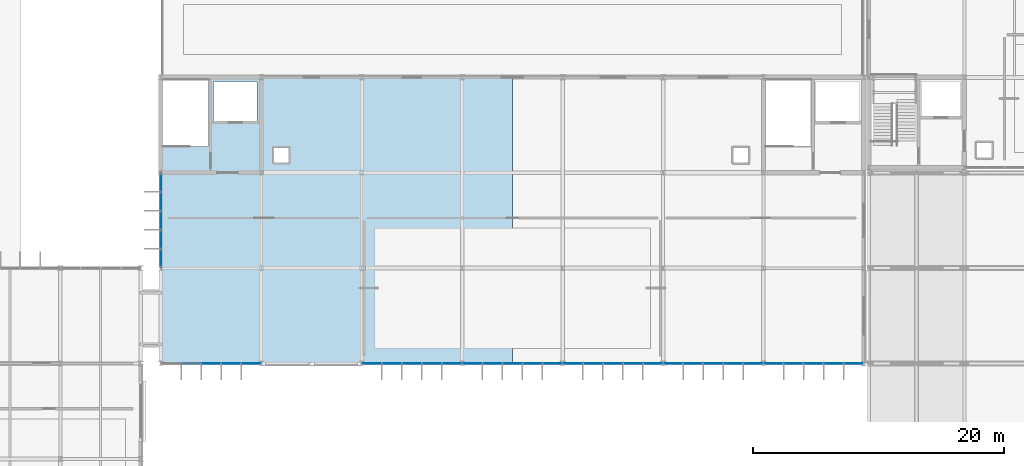
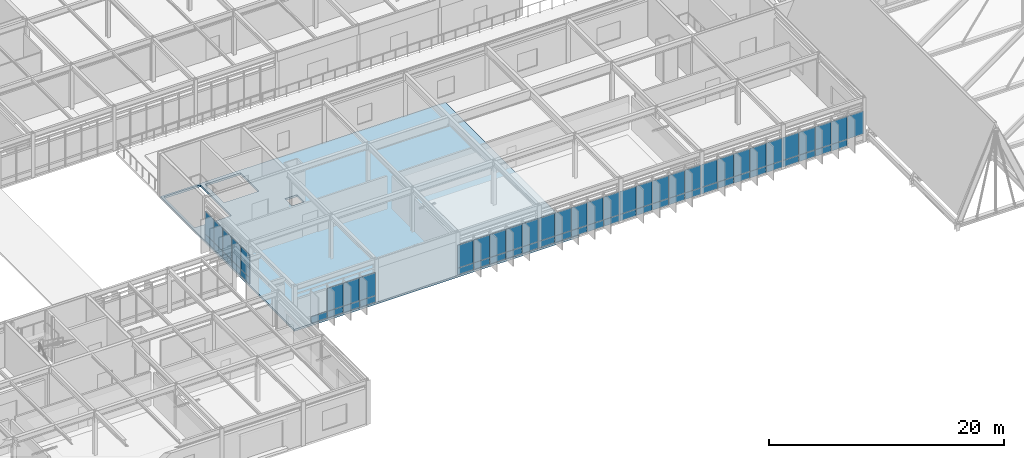
# One storey, part 73 of 100: 66 plates, 1 slab, 7 elements without a shape of their own.
"""IFC4 building model written with IfcOpenShell, lengths in metres."""

from ifc_helpers import new_model, si_unit, direction, frame, origin, origin_2d, place, context, subcontext, project, spatial, polyline, rectangle, outline, extrude, material, layer, layer_set, type_object, element, aggregate, save


model = new_model("IFC4")

# Units and contexts
model_context = context("Model", 3, precision=1e-05, world=origin(), true_north=direction((0.0, 1.0)))
body_context = subcontext(model_context, "Body", "Model", "MODEL_VIEW")
ifc_project = project(units=[si_unit("LENGTHUNIT", "METRE"), si_unit("AREAUNIT", "SQUARE_METRE"), si_unit("VOLUMEUNIT", "CUBIC_METRE"), si_unit("PLANEANGLEUNIT", "RADIAN"), si_unit("MASSUNIT", "GRAM", prefix="KILO")], contexts=[model_context])

# Site, building, storey
site_placement = place(None, origin())
site = spatial("IfcSite", under=ifc_project, at=site_placement, CompositionType="ELEMENT")
building_placement = place(site_placement, origin())
building = spatial("IfcBuilding", under=site, at=building_placement, Name="Zulena Civic Courthouse", CompositionType="ELEMENT")
storey_placement = place(building_placement, frame((0.0, 0.0, 20.39990234375)))
storey = spatial("IfcBuildingStorey", under=building, at=storey_placement, Name="L04", CompositionType="ELEMENT", Elevation=20.39990234375)

# Curtain wall, plates
ifc_material_1 = material(Name="Double-silver low-E laminated solar-control glass", Category="glass")
curtain_wall_type_1 = type_object("IfcCurtainWallType", Name="CW_7576x3690", PredefinedType="USERDEFINED", material=ifc_material_1)
curtain_wall_1_placement = place(storey_placement, origin())
curtain_wall_1 = element("IfcCurtainWall", 1, at=curtain_wall_1_placement, inside=storey, type_object=curtain_wall_type_1, Name="cw:V4:L04:0:1", ObjectType="UNITISED CURTAIN WALL", PredefinedType="USERDEFINED")
ifc_material_2 = material(Name="Ceramic-fritted insulated spandrel glass", Category="glass")
ifc_layer_1 = layer(ifc_material_2, 0.0458984375)
ifc_layer_set_1 = layer_set([ifc_layer_1], Name="Ceramic-fritted insulated spandrel glass")
plate_type_1 = type_object("IfcPlateType", Name="CWPanel_Spandrel_46", PredefinedType="CURTAIN_PANEL", material=ifc_layer_set_1)
plate_1_placement = place(storey_placement, frame((68.0, 23.569580078125, 0.070068359375), z_axis=(0.0, 0.0, 1.0), x_axis=(0.0, 1.0, 0.0)))
plate_1 = element("IfcPlate", 2, at=plate_1_placement, type_object=plate_type_1, Name="cw:V4:L04:0:1:panS:0", PredefinedType="CURTAIN_PANEL", context=body_context, shape_type="SweptSolid", body=[
    extrude(rectangle(XDim=1.465087890625, YDim=0.0458984375, at=origin_2d()), origin(), (0.0, 0.0, 1.0), 0.669921875),
])
plate_2_placement = place(storey_placement, frame((68.0, 25.084716796875, 0.070068359375), z_axis=(0.0, 0.0, 1.0), x_axis=(0.0, 1.0, 0.0)))
plate_2 = element("IfcPlate", 3, at=plate_2_placement, type_object=plate_type_1, Name="cw:V4:L04:0:1:panS:1", PredefinedType="CURTAIN_PANEL", context=body_context, shape_type="SweptSolid", body=[
    extrude(rectangle(XDim=1.465087890625, YDim=0.0458984375, at=origin_2d()), origin(), (0.0, 0.0, 1.0), 0.669921875),
])
plate_3_placement = place(storey_placement, frame((68.0, 26.60009765625, 0.070068359375), z_axis=(0.0, 0.0, 1.0), x_axis=(0.0, 1.0, 0.0)))
plate_3 = element("IfcPlate", 4, at=plate_3_placement, type_object=plate_type_1, Name="cw:V4:L04:0:1:panS:2", PredefinedType="CURTAIN_PANEL", context=body_context, shape_type="SweptSolid", body=[
    extrude(rectangle(XDim=1.465087890625, YDim=0.0458984375, at=origin_2d()), origin(), (0.0, 0.0, 1.0), 0.669921875),
])
plate_4_placement = place(storey_placement, frame((68.0, 28.115234375, 0.070068359375), z_axis=(0.0, 0.0, 1.0), x_axis=(0.0, 1.0, 0.0)))
plate_4 = element("IfcPlate", 5, at=plate_4_placement, type_object=plate_type_1, Name="cw:V4:L04:0:1:panS:3", PredefinedType="CURTAIN_PANEL", context=body_context, shape_type="SweptSolid", body=[
    extrude(rectangle(XDim=1.465087890625, YDim=0.0458984375, at=origin_2d()), origin(), (0.0, 0.0, 1.0), 0.669921875),
])
plate_5_placement = place(storey_placement, frame((68.0, 29.63037109375, 0.070068359375), z_axis=(0.0, 0.0, 1.0), x_axis=(0.0, 1.0, 0.0)))
plate_5 = element("IfcPlate", 6, at=plate_5_placement, type_object=plate_type_1, Name="cw:V4:L04:0:1:panS:4", PredefinedType="CURTAIN_PANEL", context=body_context, shape_type="SweptSolid", body=[
    extrude(rectangle(XDim=1.465087890625, YDim=0.0458984375, at=origin_2d()), origin(), (0.0, 0.0, 1.0), 0.669921875),
])

curtain_wall_type_2 = type_object("IfcCurtainWallType", Name="CW_7976x3690", PredefinedType="USERDEFINED", material=ifc_material_1)
curtain_wall_2_placement = place(storey_placement, origin())
curtain_wall_2 = element("IfcCurtainWall", 7, at=curtain_wall_2_placement, inside=storey, type_object=curtain_wall_type_2, Name="cw:V4:L04:3:0", ObjectType="UNITISED CURTAIN WALL", PredefinedType="USERDEFINED")
plate_6_placement = place(storey_placement, frame((121.59521484375, 15.199951171875, 0.070068359375), z_axis=(0.0, 0.0, 1.0), x_axis=(-1.0, 0.0, 0.0)))
plate_6 = element("IfcPlate", 8, at=plate_6_placement, type_object=plate_type_1, Name="cw:V4:L04:3:0:panS:1", PredefinedType="CURTAIN_PANEL", context=body_context, shape_type="SweptSolid", body=[
    extrude(rectangle(XDim=1.544921875, YDim=0.0458984375, at=origin_2d()), origin(), (0.0, 0.0, 1.0), 0.669921875),
])
plate_7_placement = place(storey_placement, frame((120.0, 15.199951171875, 0.070068359375), z_axis=(0.0, 0.0, 1.0), x_axis=(-1.0, 0.0, 0.0)))
plate_7 = element("IfcPlate", 9, at=plate_7_placement, type_object=plate_type_1, Name="cw:V4:L04:3:0:panS:2", PredefinedType="CURTAIN_PANEL", context=body_context, shape_type="SweptSolid", body=[
    extrude(rectangle(XDim=1.544921875, YDim=0.0458984375, at=origin_2d()), origin(), (0.0, 0.0, 1.0), 0.669921875),
])
plate_8_placement = place(storey_placement, frame((118.40478515625, 15.199951171875, 0.070068359375), z_axis=(0.0, 0.0, 1.0), x_axis=(-1.0, 0.0, 0.0)))
plate_8 = element("IfcPlate", 10, at=plate_8_placement, type_object=plate_type_1, Name="cw:V4:L04:3:0:panS:3", PredefinedType="CURTAIN_PANEL", context=body_context, shape_type="SweptSolid", body=[
    extrude(rectangle(XDim=1.544921875, YDim=0.0458984375, at=origin_2d()), origin(), (0.0, 0.0, 1.0), 0.669921875),
])
plate_9_placement = place(storey_placement, frame((116.8095703125, 15.199951171875, 0.070068359375), z_axis=(0.0, 0.0, 1.0), x_axis=(-1.0, 0.0, 0.0)))
plate_9 = element("IfcPlate", 11, at=plate_9_placement, type_object=plate_type_1, Name="cw:V4:L04:3:0:panS:4", PredefinedType="CURTAIN_PANEL", context=body_context, shape_type="SweptSolid", body=[
    extrude(rectangle(XDim=1.544921875, YDim=0.0458984375, at=origin_2d()), origin(), (0.0, 0.0, 1.0), 0.669921875),
])

curtain_wall_3_placement = place(storey_placement, origin())
curtain_wall_3 = element("IfcCurtainWall", 12, at=curtain_wall_3_placement, inside=storey, type_object=curtain_wall_type_2, Name="cw:V4:L04:3:1", ObjectType="UNITISED CURTAIN WALL", PredefinedType="USERDEFINED")
plate_10_placement = place(storey_placement, frame((115.1904296875, 15.199951171875, 0.070068359375), z_axis=(0.0, 0.0, 1.0), x_axis=(-1.0, 0.0, 0.0)))
plate_10 = element("IfcPlate", 13, at=plate_10_placement, type_object=plate_type_1, Name="cw:V4:L04:3:1:panS:0", PredefinedType="CURTAIN_PANEL", context=body_context, shape_type="SweptSolid", body=[
    extrude(rectangle(XDim=1.544921875, YDim=0.0458984375, at=origin_2d()), origin(), (0.0, 0.0, 1.0), 0.669921875),
])
plate_11_placement = place(storey_placement, frame((113.59521484375, 15.199951171875, 0.070068359375), z_axis=(0.0, 0.0, 1.0), x_axis=(-1.0, 0.0, 0.0)))
plate_11 = element("IfcPlate", 14, at=plate_11_placement, type_object=plate_type_1, Name="cw:V4:L04:3:1:panS:1", PredefinedType="CURTAIN_PANEL", context=body_context, shape_type="SweptSolid", body=[
    extrude(rectangle(XDim=1.544921875, YDim=0.0458984375, at=origin_2d()), origin(), (0.0, 0.0, 1.0), 0.669921875),
])
plate_12_placement = place(storey_placement, frame((112.0, 15.199951171875, 0.070068359375), z_axis=(0.0, 0.0, 1.0), x_axis=(-1.0, 0.0, 0.0)))
plate_12 = element("IfcPlate", 15, at=plate_12_placement, type_object=plate_type_1, Name="cw:V4:L04:3:1:panS:2", PredefinedType="CURTAIN_PANEL", context=body_context, shape_type="SweptSolid", body=[
    extrude(rectangle(XDim=1.544921875, YDim=0.0458984375, at=origin_2d()), origin(), (0.0, 0.0, 1.0), 0.669921875),
])
plate_13_placement = place(storey_placement, frame((110.40478515625, 15.199951171875, 0.070068359375), z_axis=(0.0, 0.0, 1.0), x_axis=(-1.0, 0.0, 0.0)))
plate_13 = element("IfcPlate", 16, at=plate_13_placement, type_object=plate_type_1, Name="cw:V4:L04:3:1:panS:3", PredefinedType="CURTAIN_PANEL", context=body_context, shape_type="SweptSolid", body=[
    extrude(rectangle(XDim=1.544921875, YDim=0.0458984375, at=origin_2d()), origin(), (0.0, 0.0, 1.0), 0.669921875),
])
plate_14_placement = place(storey_placement, frame((108.8095703125, 15.199951171875, 0.070068359375), z_axis=(0.0, 0.0, 1.0), x_axis=(-1.0, 0.0, 0.0)))
plate_14 = element("IfcPlate", 17, at=plate_14_placement, type_object=plate_type_1, Name="cw:V4:L04:3:1:panS:4", PredefinedType="CURTAIN_PANEL", context=body_context, shape_type="SweptSolid", body=[
    extrude(rectangle(XDim=1.544921875, YDim=0.0458984375, at=origin_2d()), origin(), (0.0, 0.0, 1.0), 0.669921875),
])

curtain_wall_4_placement = place(storey_placement, origin())
curtain_wall_4 = element("IfcCurtainWall", 18, at=curtain_wall_4_placement, inside=storey, type_object=curtain_wall_type_2, Name="cw:V4:L04:3:2", ObjectType="UNITISED CURTAIN WALL", PredefinedType="USERDEFINED")
plate_15_placement = place(storey_placement, frame((107.1904296875, 15.199951171875, 0.070068359375), z_axis=(0.0, 0.0, 1.0), x_axis=(-1.0, 0.0, 0.0)))
plate_15 = element("IfcPlate", 19, at=plate_15_placement, type_object=plate_type_1, Name="cw:V4:L04:3:2:panS:0", PredefinedType="CURTAIN_PANEL", context=body_context, shape_type="SweptSolid", body=[
    extrude(rectangle(XDim=1.544921875, YDim=0.0458984375, at=origin_2d()), origin(), (0.0, 0.0, 1.0), 0.669921875),
])
plate_16_placement = place(storey_placement, frame((105.59521484375, 15.199951171875, 0.070068359375), z_axis=(0.0, 0.0, 1.0), x_axis=(-1.0, 0.0, 0.0)))
plate_16 = element("IfcPlate", 20, at=plate_16_placement, type_object=plate_type_1, Name="cw:V4:L04:3:2:panS:1", PredefinedType="CURTAIN_PANEL", context=body_context, shape_type="SweptSolid", body=[
    extrude(rectangle(XDim=1.544921875, YDim=0.0458984375, at=origin_2d()), origin(), (0.0, 0.0, 1.0), 0.669921875),
])
plate_17_placement = place(storey_placement, frame((104.0, 15.199951171875, 0.070068359375), z_axis=(0.0, 0.0, 1.0), x_axis=(-1.0, 0.0, 0.0)))
plate_17 = element("IfcPlate", 21, at=plate_17_placement, type_object=plate_type_1, Name="cw:V4:L04:3:2:panS:2", PredefinedType="CURTAIN_PANEL", context=body_context, shape_type="SweptSolid", body=[
    extrude(rectangle(XDim=1.544921875, YDim=0.0458984375, at=origin_2d()), origin(), (0.0, 0.0, 1.0), 0.669921875),
])
plate_18_placement = place(storey_placement, frame((102.40478515625, 15.199951171875, 0.070068359375), z_axis=(0.0, 0.0, 1.0), x_axis=(-1.0, 0.0, 0.0)))
plate_18 = element("IfcPlate", 22, at=plate_18_placement, type_object=plate_type_1, Name="cw:V4:L04:3:2:panS:3", PredefinedType="CURTAIN_PANEL", context=body_context, shape_type="SweptSolid", body=[
    extrude(rectangle(XDim=1.544921875, YDim=0.0458984375, at=origin_2d()), origin(), (0.0, 0.0, 1.0), 0.669921875),
])
plate_19_placement = place(storey_placement, frame((100.8095703125, 15.199951171875, 0.070068359375), z_axis=(0.0, 0.0, 1.0), x_axis=(-1.0, 0.0, 0.0)))
plate_19 = element("IfcPlate", 23, at=plate_19_placement, type_object=plate_type_1, Name="cw:V4:L04:3:2:panS:4", PredefinedType="CURTAIN_PANEL", context=body_context, shape_type="SweptSolid", body=[
    extrude(rectangle(XDim=1.544921875, YDim=0.0458984375, at=origin_2d()), origin(), (0.0, 0.0, 1.0), 0.669921875),
])

curtain_wall_5_placement = place(storey_placement, origin())
curtain_wall_5 = element("IfcCurtainWall", 24, at=curtain_wall_5_placement, inside=storey, type_object=curtain_wall_type_2, Name="cw:V4:L04:3:3", ObjectType="UNITISED CURTAIN WALL", PredefinedType="USERDEFINED")
plate_20_placement = place(storey_placement, frame((99.1904296875, 15.199951171875, 0.070068359375), z_axis=(0.0, 0.0, 1.0), x_axis=(-1.0, 0.0, 0.0)))
plate_20 = element("IfcPlate", 25, at=plate_20_placement, type_object=plate_type_1, Name="cw:V4:L04:3:3:panS:0", PredefinedType="CURTAIN_PANEL", context=body_context, shape_type="SweptSolid", body=[
    extrude(rectangle(XDim=1.544921875, YDim=0.0458984375, at=origin_2d()), origin(), (0.0, 0.0, 1.0), 0.669921875),
])
plate_21_placement = place(storey_placement, frame((97.59521484375, 15.199951171875, 0.070068359375), z_axis=(0.0, 0.0, 1.0), x_axis=(-1.0, 0.0, 0.0)))
plate_21 = element("IfcPlate", 26, at=plate_21_placement, type_object=plate_type_1, Name="cw:V4:L04:3:3:panS:1", PredefinedType="CURTAIN_PANEL", context=body_context, shape_type="SweptSolid", body=[
    extrude(rectangle(XDim=1.544921875, YDim=0.0458984375, at=origin_2d()), origin(), (0.0, 0.0, 1.0), 0.669921875),
])
plate_22_placement = place(storey_placement, frame((96.0, 15.199951171875, 0.070068359375), z_axis=(0.0, 0.0, 1.0), x_axis=(-1.0, 0.0, 0.0)))
plate_22 = element("IfcPlate", 27, at=plate_22_placement, type_object=plate_type_1, Name="cw:V4:L04:3:3:panS:2", PredefinedType="CURTAIN_PANEL", context=body_context, shape_type="SweptSolid", body=[
    extrude(rectangle(XDim=1.544921875, YDim=0.0458984375, at=origin_2d()), origin(), (0.0, 0.0, 1.0), 0.669921875),
])
plate_23_placement = place(storey_placement, frame((94.40478515625, 15.199951171875, 0.070068359375), z_axis=(0.0, 0.0, 1.0), x_axis=(-1.0, 0.0, 0.0)))
plate_23 = element("IfcPlate", 28, at=plate_23_placement, type_object=plate_type_1, Name="cw:V4:L04:3:3:panS:3", PredefinedType="CURTAIN_PANEL", context=body_context, shape_type="SweptSolid", body=[
    extrude(rectangle(XDim=1.544921875, YDim=0.0458984375, at=origin_2d()), origin(), (0.0, 0.0, 1.0), 0.669921875),
])
plate_24_placement = place(storey_placement, frame((92.8095703125, 15.199951171875, 0.070068359375), z_axis=(0.0, 0.0, 1.0), x_axis=(-1.0, 0.0, 0.0)))
plate_24 = element("IfcPlate", 29, at=plate_24_placement, type_object=plate_type_1, Name="cw:V4:L04:3:3:panS:4", PredefinedType="CURTAIN_PANEL", context=body_context, shape_type="SweptSolid", body=[
    extrude(rectangle(XDim=1.544921875, YDim=0.0458984375, at=origin_2d()), origin(), (0.0, 0.0, 1.0), 0.669921875),
])

curtain_wall_6_placement = place(storey_placement, origin())
curtain_wall_6 = element("IfcCurtainWall", 30, at=curtain_wall_6_placement, inside=storey, type_object=curtain_wall_type_2, Name="cw:V4:L04:3:4", ObjectType="UNITISED CURTAIN WALL", PredefinedType="USERDEFINED")
plate_25_placement = place(storey_placement, frame((91.1904296875, 15.199951171875, 0.070068359375), z_axis=(0.0, 0.0, 1.0), x_axis=(-1.0, 0.0, 0.0)))
plate_25 = element("IfcPlate", 31, at=plate_25_placement, type_object=plate_type_1, Name="cw:V4:L04:3:4:panS:0", PredefinedType="CURTAIN_PANEL", context=body_context, shape_type="SweptSolid", body=[
    extrude(rectangle(XDim=1.544921875, YDim=0.0458984375, at=origin_2d()), origin(), (0.0, 0.0, 1.0), 0.669921875),
])
plate_26_placement = place(storey_placement, frame((89.59521484375, 15.199951171875, 0.070068359375), z_axis=(0.0, 0.0, 1.0), x_axis=(-1.0, 0.0, 0.0)))
plate_26 = element("IfcPlate", 32, at=plate_26_placement, type_object=plate_type_1, Name="cw:V4:L04:3:4:panS:1", PredefinedType="CURTAIN_PANEL", context=body_context, shape_type="SweptSolid", body=[
    extrude(rectangle(XDim=1.544921875, YDim=0.0458984375, at=origin_2d()), origin(), (0.0, 0.0, 1.0), 0.669921875),
])
plate_27_placement = place(storey_placement, frame((88.0, 15.199951171875, 0.070068359375), z_axis=(0.0, 0.0, 1.0), x_axis=(-1.0, 0.0, 0.0)))
plate_27 = element("IfcPlate", 33, at=plate_27_placement, type_object=plate_type_1, Name="cw:V4:L04:3:4:panS:2", PredefinedType="CURTAIN_PANEL", context=body_context, shape_type="SweptSolid", body=[
    extrude(rectangle(XDim=1.544921875, YDim=0.0458984375, at=origin_2d()), origin(), (0.0, 0.0, 1.0), 0.669921875),
])
plate_28_placement = place(storey_placement, frame((86.40478515625, 15.199951171875, 0.070068359375), z_axis=(0.0, 0.0, 1.0), x_axis=(-1.0, 0.0, 0.0)))
plate_28 = element("IfcPlate", 34, at=plate_28_placement, type_object=plate_type_1, Name="cw:V4:L04:3:4:panS:3", PredefinedType="CURTAIN_PANEL", context=body_context, shape_type="SweptSolid", body=[
    extrude(rectangle(XDim=1.544921875, YDim=0.0458984375, at=origin_2d()), origin(), (0.0, 0.0, 1.0), 0.669921875),
])
plate_29_placement = place(storey_placement, frame((84.8095703125, 15.199951171875, 0.070068359375), z_axis=(0.0, 0.0, 1.0), x_axis=(-1.0, 0.0, 0.0)))
plate_29 = element("IfcPlate", 35, at=plate_29_placement, type_object=plate_type_1, Name="cw:V4:L04:3:4:panS:4", PredefinedType="CURTAIN_PANEL", context=body_context, shape_type="SweptSolid", body=[
    extrude(rectangle(XDim=1.544921875, YDim=0.0458984375, at=origin_2d()), origin(), (0.0, 0.0, 1.0), 0.669921875),
])

curtain_wall_7_placement = place(storey_placement, origin())
curtain_wall_7 = element("IfcCurtainWall", 36, at=curtain_wall_7_placement, inside=storey, type_object=curtain_wall_type_2, Name="cw:V4:L04:3:6", ObjectType="UNITISED CURTAIN WALL", PredefinedType="USERDEFINED")
plate_30_placement = place(storey_placement, frame((75.1904296875, 15.199951171875, 0.070068359375), z_axis=(0.0, 0.0, 1.0), x_axis=(-1.0, 0.0, 0.0)))
plate_30 = element("IfcPlate", 37, at=plate_30_placement, type_object=plate_type_1, Name="cw:V4:L04:3:6:panS:0", PredefinedType="CURTAIN_PANEL", context=body_context, shape_type="SweptSolid", body=[
    extrude(rectangle(XDim=1.544921875, YDim=0.0458984375, at=origin_2d()), origin(), (0.0, 0.0, 1.0), 0.669921875),
])
plate_31_placement = place(storey_placement, frame((73.59521484375, 15.199951171875, 0.070068359375), z_axis=(0.0, 0.0, 1.0), x_axis=(-1.0, 0.0, 0.0)))
plate_31 = element("IfcPlate", 38, at=plate_31_placement, type_object=plate_type_1, Name="cw:V4:L04:3:6:panS:1", PredefinedType="CURTAIN_PANEL", context=body_context, shape_type="SweptSolid", body=[
    extrude(rectangle(XDim=1.544921875, YDim=0.0458984375, at=origin_2d()), origin(), (0.0, 0.0, 1.0), 0.669921875),
])
plate_32_placement = place(storey_placement, frame((72.0, 15.199951171875, 0.070068359375), z_axis=(0.0, 0.0, 1.0), x_axis=(-1.0, 0.0, 0.0)))
plate_32 = element("IfcPlate", 39, at=plate_32_placement, type_object=plate_type_1, Name="cw:V4:L04:3:6:panS:2", PredefinedType="CURTAIN_PANEL", context=body_context, shape_type="SweptSolid", body=[
    extrude(rectangle(XDim=1.544921875, YDim=0.0458984375, at=origin_2d()), origin(), (0.0, 0.0, 1.0), 0.669921875),
])
plate_33_placement = place(storey_placement, frame((70.40478515625, 15.199951171875, 0.070068359375), z_axis=(0.0, 0.0, 1.0), x_axis=(-1.0, 0.0, 0.0)))
plate_33 = element("IfcPlate", 40, at=plate_33_placement, type_object=plate_type_1, Name="cw:V4:L04:3:6:panS:3", PredefinedType="CURTAIN_PANEL", context=body_context, shape_type="SweptSolid", body=[
    extrude(rectangle(XDim=1.544921875, YDim=0.0458984375, at=origin_2d()), origin(), (0.0, 0.0, 1.0), 0.669921875),
])

# Plate
ifc_layer_2 = layer(ifc_material_1, 0.035888671875)
ifc_layer_set_2 = layer_set([ifc_layer_2], Name="Double-silver low-E laminated solar-control glass")
plate_type_2 = type_object("IfcPlateType", Name="CWPanel_Vision_36", PredefinedType="CURTAIN_PANEL", material=ifc_layer_set_2)
plate_34_placement = place(storey_placement, frame((68.0, 23.569580078125, 0.760009765625), z_axis=(0.0, 0.0, 1.0), x_axis=(0.0, 1.0, 0.0)))
plate_34 = element("IfcPlate", 41, at=plate_34_placement, type_object=plate_type_2, Name="cw:V4:L04:0:1:panV:0", PredefinedType="CURTAIN_PANEL", context=body_context, shape_type="SweptSolid", body=[
    extrude(rectangle(XDim=1.465087890625, YDim=0.035888671875, at=origin_2d()), origin(), (0.0, 0.0, 1.0), 2.3701171875),
])

plate_35_placement = place(storey_placement, frame((68.0, 25.084716796875, 0.760009765625), z_axis=(0.0, 0.0, 1.0), x_axis=(0.0, 1.0, 0.0)))
plate_35 = element("IfcPlate", 42, at=plate_35_placement, type_object=plate_type_2, Name="cw:V4:L04:0:1:panV:1", PredefinedType="CURTAIN_PANEL", context=body_context, shape_type="SweptSolid", body=[
    extrude(rectangle(XDim=1.465087890625, YDim=0.035888671875, at=origin_2d()), origin(), (0.0, 0.0, 1.0), 2.3701171875),
])

plate_36_placement = place(storey_placement, frame((68.0, 26.60009765625, 0.760009765625), z_axis=(0.0, 0.0, 1.0), x_axis=(0.0, 1.0, 0.0)))
plate_36 = element("IfcPlate", 43, at=plate_36_placement, type_object=plate_type_2, Name="cw:V4:L04:0:1:panV:2", PredefinedType="CURTAIN_PANEL", context=body_context, shape_type="SweptSolid", body=[
    extrude(rectangle(XDim=1.465087890625, YDim=0.035888671875, at=origin_2d()), origin(), (0.0, 0.0, 1.0), 2.3701171875),
])

plate_37_placement = place(storey_placement, frame((68.0, 28.115234375, 0.760009765625), z_axis=(0.0, 0.0, 1.0), x_axis=(0.0, 1.0, 0.0)))
plate_37 = element("IfcPlate", 44, at=plate_37_placement, type_object=plate_type_2, Name="cw:V4:L04:0:1:panV:3", PredefinedType="CURTAIN_PANEL", context=body_context, shape_type="SweptSolid", body=[
    extrude(rectangle(XDim=1.465087890625, YDim=0.035888671875, at=origin_2d()), origin(), (0.0, 0.0, 1.0), 2.3701171875),
])

plate_38_placement = place(storey_placement, frame((68.0, 29.63037109375, 0.760009765625), z_axis=(0.0, 0.0, 1.0), x_axis=(0.0, 1.0, 0.0)))
plate_38 = element("IfcPlate", 45, at=plate_38_placement, type_object=plate_type_2, Name="cw:V4:L04:0:1:panV:4", PredefinedType="CURTAIN_PANEL", context=body_context, shape_type="SweptSolid", body=[
    extrude(rectangle(XDim=1.465087890625, YDim=0.035888671875, at=origin_2d()), origin(), (0.0, 0.0, 1.0), 2.3701171875),
])

aggregate(curtain_wall_1, [plate_34, plate_1, plate_35, plate_2, plate_36, plate_3, plate_37, plate_4, plate_38, plate_5])

plate_39_placement = place(storey_placement, frame((123.1904296875, 15.199951171875, 0.760009765625), z_axis=(0.0, 0.0, 1.0), x_axis=(-1.0, 0.0, 0.0)))
plate_39 = element("IfcPlate", 46, at=plate_39_placement, type_object=plate_type_2, Name="cw:V4:L04:3:0:panV:0", PredefinedType="CURTAIN_PANEL", context=body_context, shape_type="SweptSolid", body=[
    extrude(rectangle(XDim=1.544921875, YDim=0.035888671875, at=origin_2d()), origin(), (0.0, 0.0, 1.0), 2.3701171875),
])

plate_40_placement = place(storey_placement, frame((121.59521484375, 15.199951171875, 0.760009765625), z_axis=(0.0, 0.0, 1.0), x_axis=(-1.0, 0.0, 0.0)))
plate_40 = element("IfcPlate", 47, at=plate_40_placement, type_object=plate_type_2, Name="cw:V4:L04:3:0:panV:1", PredefinedType="CURTAIN_PANEL", context=body_context, shape_type="SweptSolid", body=[
    extrude(rectangle(XDim=1.544921875, YDim=0.035888671875, at=origin_2d()), origin(), (0.0, 0.0, 1.0), 2.3701171875),
])

plate_41_placement = place(storey_placement, frame((120.0, 15.199951171875, 0.760009765625), z_axis=(0.0, 0.0, 1.0), x_axis=(-1.0, 0.0, 0.0)))
plate_41 = element("IfcPlate", 48, at=plate_41_placement, type_object=plate_type_2, Name="cw:V4:L04:3:0:panV:2", PredefinedType="CURTAIN_PANEL", context=body_context, shape_type="SweptSolid", body=[
    extrude(rectangle(XDim=1.544921875, YDim=0.035888671875, at=origin_2d()), origin(), (0.0, 0.0, 1.0), 2.3701171875),
])

plate_42_placement = place(storey_placement, frame((118.40478515625, 15.199951171875, 0.760009765625), z_axis=(0.0, 0.0, 1.0), x_axis=(-1.0, 0.0, 0.0)))
plate_42 = element("IfcPlate", 49, at=plate_42_placement, type_object=plate_type_2, Name="cw:V4:L04:3:0:panV:3", PredefinedType="CURTAIN_PANEL", context=body_context, shape_type="SweptSolid", body=[
    extrude(rectangle(XDim=1.544921875, YDim=0.035888671875, at=origin_2d()), origin(), (0.0, 0.0, 1.0), 2.3701171875),
])

plate_43_placement = place(storey_placement, frame((116.8095703125, 15.199951171875, 0.760009765625), z_axis=(0.0, 0.0, 1.0), x_axis=(-1.0, 0.0, 0.0)))
plate_43 = element("IfcPlate", 50, at=plate_43_placement, type_object=plate_type_2, Name="cw:V4:L04:3:0:panV:4", PredefinedType="CURTAIN_PANEL", context=body_context, shape_type="SweptSolid", body=[
    extrude(rectangle(XDim=1.544921875, YDim=0.035888671875, at=origin_2d()), origin(), (0.0, 0.0, 1.0), 2.3701171875),
])

aggregate(curtain_wall_2, [plate_39, plate_40, plate_6, plate_41, plate_7, plate_42, plate_8, plate_43, plate_9])

plate_44_placement = place(storey_placement, frame((115.1904296875, 15.199951171875, 0.760009765625), z_axis=(0.0, 0.0, 1.0), x_axis=(-1.0, 0.0, 0.0)))
plate_44 = element("IfcPlate", 51, at=plate_44_placement, type_object=plate_type_2, Name="cw:V4:L04:3:1:panV:0", PredefinedType="CURTAIN_PANEL", context=body_context, shape_type="SweptSolid", body=[
    extrude(rectangle(XDim=1.544921875, YDim=0.035888671875, at=origin_2d()), origin(), (0.0, 0.0, 1.0), 2.3701171875),
])

plate_45_placement = place(storey_placement, frame((113.59521484375, 15.199951171875, 0.760009765625), z_axis=(0.0, 0.0, 1.0), x_axis=(-1.0, 0.0, 0.0)))
plate_45 = element("IfcPlate", 52, at=plate_45_placement, type_object=plate_type_2, Name="cw:V4:L04:3:1:panV:1", PredefinedType="CURTAIN_PANEL", context=body_context, shape_type="SweptSolid", body=[
    extrude(rectangle(XDim=1.544921875, YDim=0.035888671875, at=origin_2d()), origin(), (0.0, 0.0, 1.0), 2.3701171875),
])

plate_46_placement = place(storey_placement, frame((112.0, 15.199951171875, 0.760009765625), z_axis=(0.0, 0.0, 1.0), x_axis=(-1.0, 0.0, 0.0)))
plate_46 = element("IfcPlate", 53, at=plate_46_placement, type_object=plate_type_2, Name="cw:V4:L04:3:1:panV:2", PredefinedType="CURTAIN_PANEL", context=body_context, shape_type="SweptSolid", body=[
    extrude(rectangle(XDim=1.544921875, YDim=0.035888671875, at=origin_2d()), origin(), (0.0, 0.0, 1.0), 2.3701171875),
])

plate_47_placement = place(storey_placement, frame((110.40478515625, 15.199951171875, 0.760009765625), z_axis=(0.0, 0.0, 1.0), x_axis=(-1.0, 0.0, 0.0)))
plate_47 = element("IfcPlate", 54, at=plate_47_placement, type_object=plate_type_2, Name="cw:V4:L04:3:1:panV:3", PredefinedType="CURTAIN_PANEL", context=body_context, shape_type="SweptSolid", body=[
    extrude(rectangle(XDim=1.544921875, YDim=0.035888671875, at=origin_2d()), origin(), (0.0, 0.0, 1.0), 2.3701171875),
])

plate_48_placement = place(storey_placement, frame((108.8095703125, 15.199951171875, 0.760009765625), z_axis=(0.0, 0.0, 1.0), x_axis=(-1.0, 0.0, 0.0)))
plate_48 = element("IfcPlate", 55, at=plate_48_placement, type_object=plate_type_2, Name="cw:V4:L04:3:1:panV:4", PredefinedType="CURTAIN_PANEL", context=body_context, shape_type="SweptSolid", body=[
    extrude(rectangle(XDim=1.544921875, YDim=0.035888671875, at=origin_2d()), origin(), (0.0, 0.0, 1.0), 2.3701171875),
])

aggregate(curtain_wall_3, [plate_44, plate_10, plate_45, plate_11, plate_46, plate_12, plate_47, plate_13, plate_48, plate_14])

plate_49_placement = place(storey_placement, frame((107.1904296875, 15.199951171875, 0.760009765625), z_axis=(0.0, 0.0, 1.0), x_axis=(-1.0, 0.0, 0.0)))
plate_49 = element("IfcPlate", 56, at=plate_49_placement, type_object=plate_type_2, Name="cw:V4:L04:3:2:panV:0", PredefinedType="CURTAIN_PANEL", context=body_context, shape_type="SweptSolid", body=[
    extrude(rectangle(XDim=1.544921875, YDim=0.035888671875, at=origin_2d()), origin(), (0.0, 0.0, 1.0), 2.3701171875),
])

plate_50_placement = place(storey_placement, frame((105.59521484375, 15.199951171875, 0.760009765625), z_axis=(0.0, 0.0, 1.0), x_axis=(-1.0, 0.0, 0.0)))
plate_50 = element("IfcPlate", 57, at=plate_50_placement, type_object=plate_type_2, Name="cw:V4:L04:3:2:panV:1", PredefinedType="CURTAIN_PANEL", context=body_context, shape_type="SweptSolid", body=[
    extrude(rectangle(XDim=1.544921875, YDim=0.035888671875, at=origin_2d()), origin(), (0.0, 0.0, 1.0), 2.3701171875),
])

plate_51_placement = place(storey_placement, frame((104.0, 15.199951171875, 0.760009765625), z_axis=(0.0, 0.0, 1.0), x_axis=(-1.0, 0.0, 0.0)))
plate_51 = element("IfcPlate", 58, at=plate_51_placement, type_object=plate_type_2, Name="cw:V4:L04:3:2:panV:2", PredefinedType="CURTAIN_PANEL", context=body_context, shape_type="SweptSolid", body=[
    extrude(rectangle(XDim=1.544921875, YDim=0.035888671875, at=origin_2d()), origin(), (0.0, 0.0, 1.0), 2.3701171875),
])

plate_52_placement = place(storey_placement, frame((102.40478515625, 15.199951171875, 0.760009765625), z_axis=(0.0, 0.0, 1.0), x_axis=(-1.0, 0.0, 0.0)))
plate_52 = element("IfcPlate", 59, at=plate_52_placement, type_object=plate_type_2, Name="cw:V4:L04:3:2:panV:3", PredefinedType="CURTAIN_PANEL", context=body_context, shape_type="SweptSolid", body=[
    extrude(rectangle(XDim=1.544921875, YDim=0.035888671875, at=origin_2d()), origin(), (0.0, 0.0, 1.0), 2.3701171875),
])

plate_53_placement = place(storey_placement, frame((100.8095703125, 15.199951171875, 0.760009765625), z_axis=(0.0, 0.0, 1.0), x_axis=(-1.0, 0.0, 0.0)))
plate_53 = element("IfcPlate", 60, at=plate_53_placement, type_object=plate_type_2, Name="cw:V4:L04:3:2:panV:4", PredefinedType="CURTAIN_PANEL", context=body_context, shape_type="SweptSolid", body=[
    extrude(rectangle(XDim=1.544921875, YDim=0.035888671875, at=origin_2d()), origin(), (0.0, 0.0, 1.0), 2.3701171875),
])

aggregate(curtain_wall_4, [plate_49, plate_15, plate_50, plate_16, plate_51, plate_17, plate_52, plate_18, plate_53, plate_19])

plate_54_placement = place(storey_placement, frame((99.1904296875, 15.199951171875, 0.760009765625), z_axis=(0.0, 0.0, 1.0), x_axis=(-1.0, 0.0, 0.0)))
plate_54 = element("IfcPlate", 61, at=plate_54_placement, type_object=plate_type_2, Name="cw:V4:L04:3:3:panV:0", PredefinedType="CURTAIN_PANEL", context=body_context, shape_type="SweptSolid", body=[
    extrude(rectangle(XDim=1.544921875, YDim=0.035888671875, at=origin_2d()), origin(), (0.0, 0.0, 1.0), 2.3701171875),
])

plate_55_placement = place(storey_placement, frame((97.59521484375, 15.199951171875, 0.760009765625), z_axis=(0.0, 0.0, 1.0), x_axis=(-1.0, 0.0, 0.0)))
plate_55 = element("IfcPlate", 62, at=plate_55_placement, type_object=plate_type_2, Name="cw:V4:L04:3:3:panV:1", PredefinedType="CURTAIN_PANEL", context=body_context, shape_type="SweptSolid", body=[
    extrude(rectangle(XDim=1.544921875, YDim=0.035888671875, at=origin_2d()), origin(), (0.0, 0.0, 1.0), 2.3701171875),
])

plate_56_placement = place(storey_placement, frame((96.0, 15.199951171875, 0.760009765625), z_axis=(0.0, 0.0, 1.0), x_axis=(-1.0, 0.0, 0.0)))
plate_56 = element("IfcPlate", 63, at=plate_56_placement, type_object=plate_type_2, Name="cw:V4:L04:3:3:panV:2", PredefinedType="CURTAIN_PANEL", context=body_context, shape_type="SweptSolid", body=[
    extrude(rectangle(XDim=1.544921875, YDim=0.035888671875, at=origin_2d()), origin(), (0.0, 0.0, 1.0), 2.3701171875),
])

plate_57_placement = place(storey_placement, frame((94.40478515625, 15.199951171875, 0.760009765625), z_axis=(0.0, 0.0, 1.0), x_axis=(-1.0, 0.0, 0.0)))
plate_57 = element("IfcPlate", 64, at=plate_57_placement, type_object=plate_type_2, Name="cw:V4:L04:3:3:panV:3", PredefinedType="CURTAIN_PANEL", context=body_context, shape_type="SweptSolid", body=[
    extrude(rectangle(XDim=1.544921875, YDim=0.035888671875, at=origin_2d()), origin(), (0.0, 0.0, 1.0), 2.3701171875),
])

plate_58_placement = place(storey_placement, frame((92.8095703125, 15.199951171875, 0.760009765625), z_axis=(0.0, 0.0, 1.0), x_axis=(-1.0, 0.0, 0.0)))
plate_58 = element("IfcPlate", 65, at=plate_58_placement, type_object=plate_type_2, Name="cw:V4:L04:3:3:panV:4", PredefinedType="CURTAIN_PANEL", context=body_context, shape_type="SweptSolid", body=[
    extrude(rectangle(XDim=1.544921875, YDim=0.035888671875, at=origin_2d()), origin(), (0.0, 0.0, 1.0), 2.3701171875),
])

aggregate(curtain_wall_5, [plate_54, plate_20, plate_55, plate_21, plate_56, plate_22, plate_57, plate_23, plate_58, plate_24])

plate_59_placement = place(storey_placement, frame((91.1904296875, 15.199951171875, 0.760009765625), z_axis=(0.0, 0.0, 1.0), x_axis=(-1.0, 0.0, 0.0)))
plate_59 = element("IfcPlate", 66, at=plate_59_placement, type_object=plate_type_2, Name="cw:V4:L04:3:4:panV:0", PredefinedType="CURTAIN_PANEL", context=body_context, shape_type="SweptSolid", body=[
    extrude(rectangle(XDim=1.544921875, YDim=0.035888671875, at=origin_2d()), origin(), (0.0, 0.0, 1.0), 2.3701171875),
])

plate_60_placement = place(storey_placement, frame((89.59521484375, 15.199951171875, 0.760009765625), z_axis=(0.0, 0.0, 1.0), x_axis=(-1.0, 0.0, 0.0)))
plate_60 = element("IfcPlate", 67, at=plate_60_placement, type_object=plate_type_2, Name="cw:V4:L04:3:4:panV:1", PredefinedType="CURTAIN_PANEL", context=body_context, shape_type="SweptSolid", body=[
    extrude(rectangle(XDim=1.544921875, YDim=0.035888671875, at=origin_2d()), origin(), (0.0, 0.0, 1.0), 2.3701171875),
])

plate_61_placement = place(storey_placement, frame((88.0, 15.199951171875, 0.760009765625), z_axis=(0.0, 0.0, 1.0), x_axis=(-1.0, 0.0, 0.0)))
plate_61 = element("IfcPlate", 68, at=plate_61_placement, type_object=plate_type_2, Name="cw:V4:L04:3:4:panV:2", PredefinedType="CURTAIN_PANEL", context=body_context, shape_type="SweptSolid", body=[
    extrude(rectangle(XDim=1.544921875, YDim=0.035888671875, at=origin_2d()), origin(), (0.0, 0.0, 1.0), 2.3701171875),
])

plate_62_placement = place(storey_placement, frame((86.40478515625, 15.199951171875, 0.760009765625), z_axis=(0.0, 0.0, 1.0), x_axis=(-1.0, 0.0, 0.0)))
plate_62 = element("IfcPlate", 69, at=plate_62_placement, type_object=plate_type_2, Name="cw:V4:L04:3:4:panV:3", PredefinedType="CURTAIN_PANEL", context=body_context, shape_type="SweptSolid", body=[
    extrude(rectangle(XDim=1.544921875, YDim=0.035888671875, at=origin_2d()), origin(), (0.0, 0.0, 1.0), 2.3701171875),
])

plate_63_placement = place(storey_placement, frame((84.8095703125, 15.199951171875, 0.760009765625), z_axis=(0.0, 0.0, 1.0), x_axis=(-1.0, 0.0, 0.0)))
plate_63 = element("IfcPlate", 70, at=plate_63_placement, type_object=plate_type_2, Name="cw:V4:L04:3:4:panV:4", PredefinedType="CURTAIN_PANEL", context=body_context, shape_type="SweptSolid", body=[
    extrude(rectangle(XDim=1.544921875, YDim=0.035888671875, at=origin_2d()), origin(), (0.0, 0.0, 1.0), 2.3701171875),
])

aggregate(curtain_wall_6, [plate_59, plate_25, plate_60, plate_26, plate_61, plate_27, plate_62, plate_28, plate_63, plate_29])

plate_64_placement = place(storey_placement, frame((75.1904296875, 15.199951171875, 0.760009765625), z_axis=(0.0, 0.0, 1.0), x_axis=(-1.0, 0.0, 0.0)))
plate_64 = element("IfcPlate", 71, at=plate_64_placement, type_object=plate_type_2, Name="cw:V4:L04:3:6:panV:0", PredefinedType="CURTAIN_PANEL", context=body_context, shape_type="SweptSolid", body=[
    extrude(rectangle(XDim=1.544921875, YDim=0.035888671875, at=origin_2d()), origin(), (0.0, 0.0, 1.0), 2.3701171875),
])

plate_65_placement = place(storey_placement, frame((73.59521484375, 15.199951171875, 0.760009765625), z_axis=(0.0, 0.0, 1.0), x_axis=(-1.0, 0.0, 0.0)))
plate_65 = element("IfcPlate", 72, at=plate_65_placement, type_object=plate_type_2, Name="cw:V4:L04:3:6:panV:1", PredefinedType="CURTAIN_PANEL", context=body_context, shape_type="SweptSolid", body=[
    extrude(rectangle(XDim=1.544921875, YDim=0.035888671875, at=origin_2d()), origin(), (0.0, 0.0, 1.0), 2.3701171875),
])

plate_66_placement = place(storey_placement, frame((72.0, 15.199951171875, 0.760009765625), z_axis=(0.0, 0.0, 1.0), x_axis=(-1.0, 0.0, 0.0)))
plate_66 = element("IfcPlate", 73, at=plate_66_placement, type_object=plate_type_2, Name="cw:V4:L04:3:6:panV:2", PredefinedType="CURTAIN_PANEL", context=body_context, shape_type="SweptSolid", body=[
    extrude(rectangle(XDim=1.544921875, YDim=0.035888671875, at=origin_2d()), origin(), (0.0, 0.0, 1.0), 2.3701171875),
])

aggregate(curtain_wall_7, [plate_64, plate_30, plate_65, plate_31, plate_66, plate_32, plate_33])

# Slab
ifc_material_3 = material(Name="Concrete C35/45", Category="concrete")
ifc_layer_3 = layer(ifc_material_3, 0.2099609375)
ifc_layer_set_3 = layer_set([ifc_layer_3], Name="Concrete C35/45")
slab_type = type_object("IfcSlabType", Name="FloorSlab_210", PredefinedType="FLOOR", material=ifc_layer_set_3)
slab_placement = place(storey_placement, frame((0.0, 0.0, -0.2099609375)))
element("IfcSlab", 74, at=slab_placement, inside=storey, type_object=slab_type, Name="slab:V4:L04_1", PredefinedType="FLOOR", context=body_context, shape_type="SweptSolid", body=[
    extrude(outline(polyline([(68.0, 15.199951171875), (68.0, 38.0), (96.0, 38.0), (96.0, 15.199951171875), (68.0, 15.199951171875)]), holes=[polyline([(68.18994140625, 37.81005859375), (68.18994140625, 32.52001953125), (71.81005859375, 32.52001953125), (71.81005859375, 37.81005859375), (68.18994140625, 37.81005859375)]), polyline([(75.64990234375, 37.64990234375), (72.199951171875, 37.64990234375), (72.199951171875, 34.5), (75.64990234375, 34.5), (75.64990234375, 37.64990234375)]), polyline([(77.0, 32.39990234375), (77.0, 31.199951171875), (78.199951171875, 31.199951171875), (78.199951171875, 32.39990234375), (77.0, 32.39990234375)])]), origin(), (0.0, 0.0, 1.0), 0.2099609375),
])

save(model, "model.ifc")
